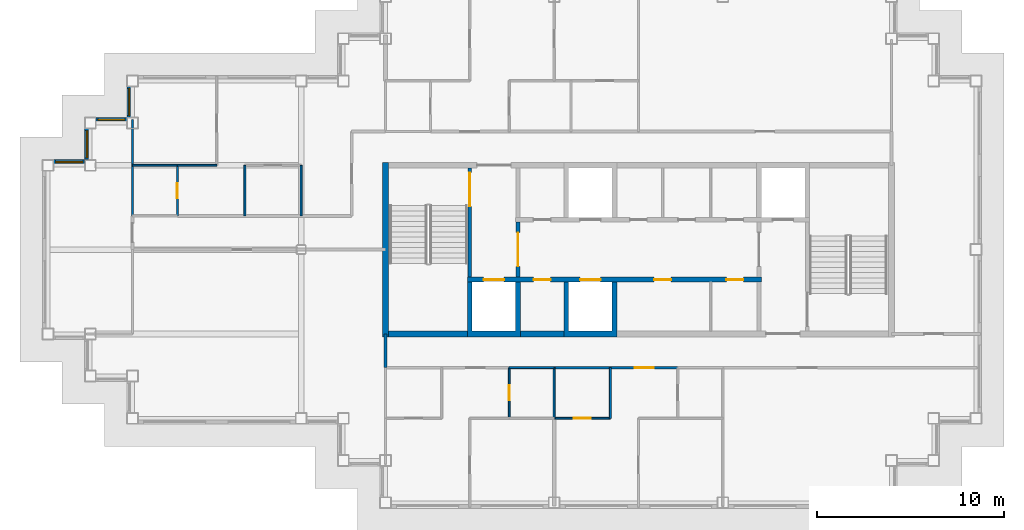
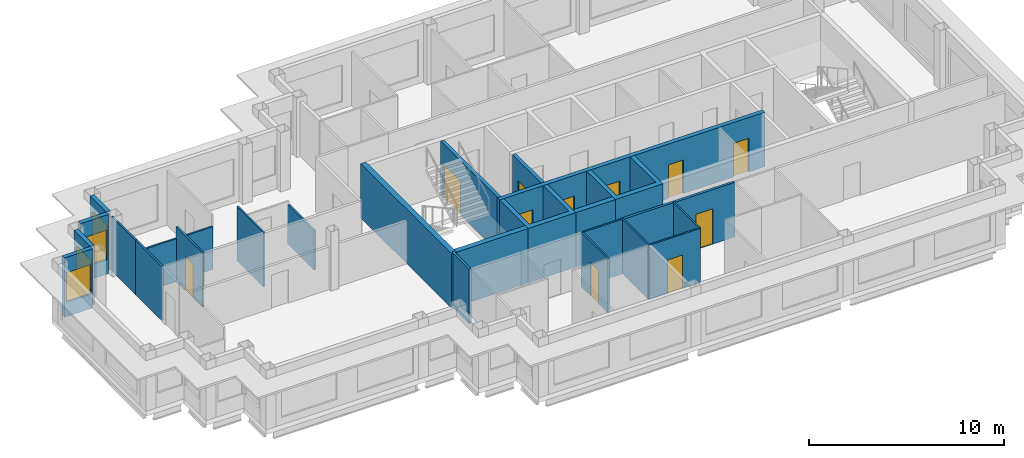
# One storey, part 3 of 11: 26 walls, 11 doors, 4 windows, 15 openings.
"""IFC4 building model written with IfcOpenShell, lengths in metres."""

from ifc_helpers import new_model, si_unit, direction, frame, frame_2d, origin, place, context, subcontext, project, spatial, polyline, rectangle, outline, extrude, material, layer, layer_set, type_object, element, fill, save


model = new_model("IFC4")

# Units and contexts
model_context = context("Model", 3, precision=1e-05, world=origin(), true_north=direction((0.0, 1.0)))
body_context = subcontext(model_context, "Body", "Model", "MODEL_VIEW")
ifc_project = project(units=[si_unit("LENGTHUNIT", "METRE"), si_unit("AREAUNIT", "SQUARE_METRE"), si_unit("VOLUMEUNIT", "CUBIC_METRE"), si_unit("PLANEANGLEUNIT", "RADIAN"), si_unit("MASSUNIT", "GRAM", prefix="KILO")], contexts=[model_context])

# Site, building, storey
site_placement = place(None, origin())
site = spatial("IfcSite", under=ifc_project, at=site_placement, CompositionType="ELEMENT")
building_placement = place(site_placement, origin())
building = spatial("IfcBuilding", under=site, at=building_placement, Name="Caravel Reach Hotel and Residences", CompositionType="ELEMENT")
storey_placement = place(building_placement, frame((0.0, 0.0, 256.39990234375)))
storey = spatial("IfcBuildingStorey", under=building, at=storey_placement, Name="L65", CompositionType="ELEMENT", Elevation=256.39990234375)

# Walls
ifc_material_1 = material(Name="Gypsum board on steel stud", Category="steel")
ifc_layer_1 = layer(ifc_material_1, 0.10009765625)
ifc_layer_set_1 = layer_set([ifc_layer_1], Name="Bathroom pod wall 100 mm")
wall_type_1 = type_object("IfcWallType", Name="Bathroom pod wall 100 mm", PredefinedType="PARTITIONING", material=ifc_layer_set_1)
wall_1_placement = place(storey_placement, frame((24.60009765625, 20.699951171875, 0.0), z_axis=(0.0, 0.0, 1.0), x_axis=(1.0, 0.0, 0.0)))
element("IfcWall", 1, at=wall_1_placement, inside=storey, type_object=wall_type_1, Name="L65 wall w055", PredefinedType="PARTITIONING", context=body_context, shape_type="SweptSolid", body=[
    extrude(rectangle(XDim=2.39990234375, YDim=0.10009765625, at=frame_2d((1.199951171875, 0.0))), origin(), (0.0, 0.0, 1.0), 3.400146484375),
])
wall_2_placement = place(storey_placement, frame((4.5, 31.5, 0.0), z_axis=(0.0, 0.0, 1.0), x_axis=(1.0, 0.0, 0.0)))
element("IfcWall", 2, at=wall_2_placement, inside=storey, type_object=wall_type_1, Name="L65 wall w058", PredefinedType="PARTITIONING", context=body_context, shape_type="SweptSolid", body=[
    extrude(rectangle(XDim=2.39990234375, YDim=0.10009765625, at=frame_2d((1.199951171875, 0.0))), origin(), (0.0, 0.0, 1.0), 2.68017578125),
])

# Wall, opening, door
wall_3_placement = place(storey_placement, frame((24.60009765625, 18.0, 0.0), z_axis=(0.0, 0.0, 1.0), x_axis=(0.0, 1.0, 0.0)))
wall_3 = element("IfcWall", 3, at=wall_3_placement, inside=storey, type_object=wall_type_1, Name="L65 wall w063", PredefinedType="PARTITIONING", context=body_context, shape_type="SweptSolid", body=[
    extrude(rectangle(XDim=2.699951171875, YDim=0.10009765625, at=frame_2d((1.35009765625, 0.0))), origin(), (0.0, 0.0, 1.0), 3.400146484375),
])
opening_1_placement = place(wall_3_placement, frame((0.949951171875, 0.0, 0.0)))
opening_1 = element("IfcOpeningElement", 4, at=opening_1_placement, cuts=wall_3, Name="Opening D65-032", PredefinedType="OPENING", context=body_context, shape_type="SweptSolid", body=[
    extrude(rectangle(XDim=0.800048828125, YDim=2.10009765625, at=frame_2d((0.39990234375, 1.050048828125))), frame((0.0, 0.06005859375, 0.0), z_axis=(0.0, -1.0, 0.0), x_axis=(1.0, 0.0, 0.0)), (0.0, 0.0, 1.0), 0.1201171875),
])
ifc_material_2 = material(Name="Timber and steel door leaf", Category="steel")
door_type_1 = type_object("IfcDoorType", Name="Bathroom door 800 x 2100", OperationType="SINGLE_SWING_LEFT", PredefinedType="DOOR", material=ifc_material_2)
door_1_placement = place(opening_1_placement, origin())
door_1 = element("IfcDoor", 5, at=door_1_placement, inside=storey, type_object=door_type_1, Name="door D65-032", OperationType="SINGLE_SWING_RIGHT", OverallHeight=2.10009765625, OverallWidth=0.800048828125, PredefinedType="DOOR", context=body_context, shape_type="SweptSolid", body=[
    extrude(rectangle(XDim=0.800048828125, YDim=2.10009765625, at=frame_2d((0.39990234375, 1.050048828125))), frame((0.0, 0.02490234375, 0.0), z_axis=(0.0, -1.0, 0.0), x_axis=(1.0, 0.0, 0.0)), (0.0, 0.0, 1.0), 0.050048828125),
])
fill(opening_1, door_1)

# Walls
for number, where, z_axis, x_axis, name in (
    (6, (27.0, 18.0, 0.0), (0.0, 0.0, 1.0), (0.0, 1.0, 0.0), "L65 wall w064"),
    (7, (4.5, 28.800048828125, 0.0), (0.0, 0.0, 1.0), (0.0, 1.0, 0.0), "L65 wall w067"),
):
    element("IfcWall", number, at=place(storey_placement, frame(where, z_axis=z_axis, x_axis=x_axis)), inside=storey, type_object=wall_type_1, Name=name, PredefinedType="PARTITIONING", context=body_context, shape_type="SweptSolid", body=[
        extrude(rectangle(XDim=2.699951171875, YDim=0.10009765625, at=frame_2d((1.35009765625, 0.0))), origin(), (0.0, 0.0, 1.0), 3.400146484375),
    ])

# Wall, opening, door
wall_4_placement = place(storey_placement, frame((6.89990234375, 28.800048828125, 0.0), z_axis=(0.0, 0.0, 1.0), x_axis=(0.0, 1.0, 0.0)))
wall_4 = element("IfcWall", 8, at=wall_4_placement, inside=storey, type_object=wall_type_1, Name="L65 wall w068", PredefinedType="PARTITIONING", context=body_context, shape_type="SweptSolid", body=[
    extrude(rectangle(XDim=2.699951171875, YDim=0.10009765625, at=frame_2d((1.35009765625, 0.0))), origin(), (0.0, 0.0, 1.0), 3.400146484375),
])
opening_2_placement = place(wall_4_placement, frame((0.949951171875, 0.0, 0.0)))
opening_2 = element("IfcOpeningElement", 9, at=opening_2_placement, cuts=wall_4, Name="Opening D65-026", PredefinedType="OPENING", context=body_context, shape_type="SweptSolid", body=[
    extrude(rectangle(XDim=0.800048828125, YDim=2.10009765625, at=frame_2d((0.39990234375, 1.050048828125))), frame((0.0, 0.06005859375, 0.0), z_axis=(0.0, -1.0, 0.0), x_axis=(1.0, 0.0, 0.0)), (0.0, 0.0, 1.0), 0.1201171875),
])
door_2_placement = place(opening_2_placement, origin())
door_2 = element("IfcDoor", 10, at=door_2_placement, inside=storey, type_object=door_type_1, Name="door D65-026", OperationType="SINGLE_SWING_RIGHT", OverallHeight=2.10009765625, OverallWidth=0.800048828125, PredefinedType="DOOR", context=body_context, shape_type="SweptSolid", body=[
    extrude(rectangle(XDim=0.800048828125, YDim=2.10009765625, at=frame_2d((0.39990234375, 1.050048828125))), frame((0.0, 0.02490234375, 0.0), z_axis=(0.0, -1.0, 0.0), x_axis=(1.0, 0.0, 0.0)), (0.0, 0.0, 1.0), 0.050048828125),
])
fill(opening_2, door_2)

# Walls
ifc_material_3 = material(Name="Concrete C60", Category="concrete")
ifc_layer_2 = layer(ifc_material_3, 0.300048828125)
ifc_layer_set_2 = layer_set([ifc_layer_2], Name="Core wall 300 mm EI 120")
wall_type_2 = type_object("IfcWallType", Name="Core wall 300 mm EI 120", PredefinedType="SHEAR", material=ifc_layer_set_2)
wall_5_placement = place(storey_placement, frame((18.14990234375, 22.5, 0.0), z_axis=(0.0, 0.0, 1.0), x_axis=(1.0, 0.0, 0.0)))
element("IfcWall", 11, at=wall_5_placement, inside=storey, type_object=wall_type_2, Name="L65 core wall S1", PredefinedType="SHEAR", context=body_context, shape_type="SweptSolid", body=[
    extrude(rectangle(XDim=4.22509765625, YDim=0.300048828125, at=frame_2d((2.112548828125, 0.0))), origin(), (0.0, 0.0, 1.0), 3.400146484375),
])
wall_6_placement = place(storey_placement, frame((25.196533203125, 22.5, 0.0), z_axis=(0.0, 0.0, 1.0), x_axis=(1.0, 0.0, 0.0)))
element("IfcWall", 12, at=wall_6_placement, inside=storey, type_object=wall_type_2, Name="L65 core wall S2", PredefinedType="SHEAR", context=body_context, shape_type="SweptSolid", body=[
    extrude(rectangle(XDim=2.3212890625, YDim=0.300048828125, at=frame_2d((1.16064453125, 0.0))), origin(), (0.0, 0.0, 1.0), 3.400146484375),
])
wall_7_placement = place(storey_placement, frame((18.0, 22.35009765625, 0.0), z_axis=(0.0, 0.0, 1.0), x_axis=(0.0, 1.0, 0.0)))
element("IfcWall", 13, at=wall_7_placement, inside=storey, type_object=wall_type_2, Name="L65 core wall W", PredefinedType="SHEAR", context=body_context, shape_type="SweptSolid", body=[
    extrude(rectangle(XDim=9.2998046875, YDim=0.300048828125, at=frame_2d((4.64990234375, 0.0))), origin(), (0.0, 0.0, 1.0), 3.400146484375),
])

# Wall, opening, door
ifc_material_4 = material(Name="Gypsum board on steel stud, fire-rated", Category="steel")
ifc_layer_3 = layer(ifc_material_4, 0.14990234375)
ifc_layer_set_3 = layer_set([ifc_layer_3], Name="Corridor wall 150 mm EI 60")
wall_type_3 = type_object("IfcWallType", Name="Corridor wall 150 mm EI 60", PredefinedType="PARTITIONING", material=ifc_layer_set_3)
wall_8_placement = place(storey_placement, frame((27.0, 20.699951171875, 0.0), z_axis=(0.0, 0.0, 1.0), x_axis=(1.0, 0.0, 0.0)))
wall_8 = element("IfcWall", 14, at=wall_8_placement, inside=storey, type_object=wall_type_3, Name="L65 wall w004", PredefinedType="PARTITIONING", context=body_context, shape_type="SweptSolid", body=[
    extrude(rectangle(XDim=6.60009765625, YDim=0.14990234375, at=frame_2d((3.300048828125, 0.0))), origin(), (0.0, 0.0, 1.0), 3.400146484375),
])
opening_3_placement = place(wall_8_placement, frame((4.300048828125, 0.0, 0.0)))
opening_3 = element("IfcOpeningElement", 15, at=opening_3_placement, cuts=wall_8, Name="Opening D65-034", PredefinedType="OPENING", context=body_context, shape_type="SweptSolid", body=[
    extrude(rectangle(XDim=1.0, YDim=2.199951171875, at=frame_2d((0.5, 1.10009765625))), frame((0.0, 0.0849609375, 0.0), z_axis=(0.0, -1.0, 0.0), x_axis=(1.0, 0.0, 0.0)), (0.0, 0.0, 1.0), 0.169921875),
])
ifc_material_5 = material(Name="Steel fire door leaf", Category="steel")
door_type_2 = type_object("IfcDoorType", Name="Flat entrance door 1000 x 2200 EI 60", OperationType="SINGLE_SWING_LEFT", PredefinedType="DOOR", material=ifc_material_5)
door_3_placement = place(opening_3_placement, origin())
door_3 = element("IfcDoor", 16, at=door_3_placement, inside=storey, type_object=door_type_2, Name="door D65-034", OperationType="SINGLE_SWING_LEFT", OverallHeight=2.199951171875, OverallWidth=1.0, PredefinedType="DOOR", context=body_context, shape_type="SweptSolid", body=[
    extrude(rectangle(XDim=1.0, YDim=2.199951171875, at=frame_2d((0.5, 1.10009765625))), frame((0.0, 0.02490234375, 0.0), z_axis=(0.0, -1.0, 0.0), x_axis=(1.0, 0.0, 0.0)), (0.0, 0.0, 1.0), 0.050048828125),
])
fill(opening_3, door_3)

# Wall
wall_9_placement = place(storey_placement, frame((18.0, 20.699951171875, 0.0), z_axis=(0.0, 0.0, 1.0), x_axis=(0.0, 1.0, 0.0)))
element("IfcWall", 17, at=wall_9_placement, inside=storey, type_object=wall_type_3, Name="L65 wall w018", PredefinedType="PARTITIONING", context=body_context, shape_type="SweptSolid", body=[
    extrude(rectangle(XDim=1.800048828125, YDim=0.14990234375, at=frame_2d((0.89990234375, 0.0))), origin(), (0.0, 0.0, 1.0), 3.400146484375),
])

# Wall, opening, window
ifc_material_6 = material(Name="Insulated rainscreen wall, aluminium cladding", Category="aluminium")
ifc_layer_4 = layer(ifc_material_6, 0.25)
ifc_layer_set_4 = layer_set([ifc_layer_4], Name="EW1 Tower rainscreen wall")
wall_type_4 = type_object("IfcWallType", Name="EW1 Tower rainscreen wall", PredefinedType="SOLIDWALL", material=ifc_layer_set_4)
wall_10_placement = place(storey_placement, frame((4.324951171875, 35.699951171875, 0.0), z_axis=(0.0, 0.0, 1.0), x_axis=(0.0, -1.0, 0.0)))
wall_10 = element("IfcWall", 18, at=wall_10_placement, inside=storey, type_object=wall_type_4, Name="External wall L65 W19.1", PredefinedType="SOLIDWALL", context=body_context, shape_type="SweptSolid", body=[
    extrude(rectangle(XDim=1.64990234375, YDim=0.25, at=frame_2d((0.824951171875, 0.0))), origin(), (0.0, 0.0, 1.0), 3.7001953125),
])
opening_4_placement = place(wall_10_placement, frame((0.10009765625, 0.0, 0.89990234375)))
opening_4 = element("IfcOpeningElement", 19, at=opening_4_placement, cuts=wall_10, Name="Opening WN25", PredefinedType="OPENING", context=body_context, shape_type="SweptSolid", body=[
    extrude(rectangle(XDim=1.449951171875, YDim=1.85009765625, at=frame_2d((0.72509765625, 0.925048828125))), frame((0.0, 0.135009765625, 0.0), z_axis=(0.0, -1.0, 0.0), x_axis=(1.0, 0.0, 0.0)), (0.0, 0.0, 1.0), 0.27001953125),
])
ifc_material_7 = material(Name="Dark low-e glazing in black aluminium frame", Category="aluminium")
window_type = type_object("IfcWindowType", Name="Residence bedroom window 1450 x 1850", PartitioningType="SINGLE_PANEL", PredefinedType="WINDOW", material=ifc_material_7)
window_1_placement = place(opening_4_placement, origin())
window_1 = element("IfcWindow", 20, at=window_1_placement, inside=storey, type_object=window_type, Name="Window L65 W19.1.1", OverallHeight=1.85009765625, OverallWidth=1.449951171875, PartitioningType="SINGLE_PANEL", PredefinedType="WINDOW", context=body_context, shape_type="SweptSolid", body=[
    extrude(rectangle(XDim=1.449951171875, YDim=1.85009765625, at=frame_2d((0.72509765625, 0.925048828125))), frame((0.0, 0.030029296875, 0.0), z_axis=(0.0, -1.0, 0.0), x_axis=(1.0, 0.0, 0.0)), (0.0, 0.0, 1.0), 0.06005859375),
])
fill(opening_4, window_1)

wall_11_placement = place(storey_placement, frame((4.199951171875, 33.925048828125, 0.0), z_axis=(0.0, 0.0, 1.0), x_axis=(-1.0, 0.0, 0.0)))
wall_11 = element("IfcWall", 21, at=wall_11_placement, inside=storey, type_object=wall_type_4, Name="External wall L65 N20.1", PredefinedType="SOLIDWALL", context=body_context, shape_type="SweptSolid", body=[
    extrude(rectangle(XDim=1.64990234375, YDim=0.25, at=frame_2d((0.824951171875, 0.0))), origin(), (0.0, 0.0, 1.0), 3.7001953125),
])
opening_5_placement = place(wall_11_placement, frame((0.10009765625, 0.0, 0.89990234375)))
opening_5 = element("IfcOpeningElement", 22, at=opening_5_placement, cuts=wall_11, Name="Opening WN25", PredefinedType="OPENING", context=body_context, shape_type="SweptSolid", body=[
    extrude(rectangle(XDim=1.449951171875, YDim=1.85009765625, at=frame_2d((0.72509765625, 0.925048828125))), frame((0.0, 0.135009765625, 0.0), z_axis=(0.0, -1.0, 0.0), x_axis=(1.0, 0.0, 0.0)), (0.0, 0.0, 1.0), 0.27001953125),
])
window_2_placement = place(opening_5_placement, origin())
window_2 = element("IfcWindow", 23, at=window_2_placement, inside=storey, type_object=window_type, Name="Window L65 N20.1.1", OverallHeight=1.85009765625, OverallWidth=1.449951171875, PartitioningType="SINGLE_PANEL", PredefinedType="WINDOW", context=body_context, shape_type="SweptSolid", body=[
    extrude(rectangle(XDim=1.449951171875, YDim=1.85009765625, at=frame_2d((0.72509765625, 0.925048828125))), frame((0.0, 0.030029296875, 0.0), z_axis=(0.0, -1.0, 0.0), x_axis=(1.0, 0.0, 0.0)), (0.0, 0.0, 1.0), 0.06005859375),
])
fill(opening_5, window_2)

wall_12_placement = place(storey_placement, frame((2.074951171875, 33.449951171875, 0.0), z_axis=(0.0, 0.0, 1.0), x_axis=(0.0, -1.0, 0.0)))
wall_12 = element("IfcWall", 24, at=wall_12_placement, inside=storey, type_object=wall_type_4, Name="External wall L65 W21.1", PredefinedType="SOLIDWALL", context=body_context, shape_type="SweptSolid", body=[
    extrude(rectangle(XDim=1.64990234375, YDim=0.25, at=frame_2d((0.824951171875, 0.0))), origin(), (0.0, 0.0, 1.0), 3.7001953125),
])
opening_6_placement = place(wall_12_placement, frame((0.10009765625, 0.0, 0.89990234375)))
opening_6 = element("IfcOpeningElement", 25, at=opening_6_placement, cuts=wall_12, Name="Opening WN25", PredefinedType="OPENING", context=body_context, shape_type="SweptSolid", body=[
    extrude(rectangle(XDim=1.449951171875, YDim=1.85009765625, at=frame_2d((0.72509765625, 0.925048828125))), frame((0.0, 0.135009765625, 0.0), z_axis=(0.0, -1.0, 0.0), x_axis=(1.0, 0.0, 0.0)), (0.0, 0.0, 1.0), 0.27001953125),
])
window_3_placement = place(opening_6_placement, origin())
window_3 = element("IfcWindow", 26, at=window_3_placement, inside=storey, type_object=window_type, Name="Window L65 W21.1.1", OverallHeight=1.85009765625, OverallWidth=1.449951171875, PartitioningType="SINGLE_PANEL", PredefinedType="WINDOW", context=body_context, shape_type="SweptSolid", body=[
    extrude(rectangle(XDim=1.449951171875, YDim=1.85009765625, at=frame_2d((0.72509765625, 0.925048828125))), frame((0.0, 0.030029296875, 0.0), z_axis=(0.0, -1.0, 0.0), x_axis=(1.0, 0.0, 0.0)), (0.0, 0.0, 1.0), 0.06005859375),
])
fill(opening_6, window_3)

wall_13_placement = place(storey_placement, frame((1.949951171875, 31.675048828125, 0.0), z_axis=(0.0, 0.0, 1.0), x_axis=(-1.0, 0.0, 0.0)))
wall_13 = element("IfcWall", 27, at=wall_13_placement, inside=storey, type_object=wall_type_4, Name="External wall L65 N22.1", PredefinedType="SOLIDWALL", context=body_context, shape_type="SweptSolid", body=[
    extrude(rectangle(XDim=1.64990234375, YDim=0.25, at=frame_2d((0.824951171875, 0.0))), origin(), (0.0, 0.0, 1.0), 3.7001953125),
])
opening_7_placement = place(wall_13_placement, frame((0.10009765625, 0.0, 0.89990234375)))
opening_7 = element("IfcOpeningElement", 28, at=opening_7_placement, cuts=wall_13, Name="Opening WN25", PredefinedType="OPENING", context=body_context, shape_type="SweptSolid", body=[
    extrude(rectangle(XDim=1.449951171875, YDim=1.85009765625, at=frame_2d((0.72509765625, 0.925048828125))), frame((0.0, 0.135009765625, 0.0), z_axis=(0.0, -1.0, 0.0), x_axis=(1.0, 0.0, 0.0)), (0.0, 0.0, 1.0), 0.27001953125),
])
window_4_placement = place(opening_7_placement, origin())
window_4 = element("IfcWindow", 29, at=window_4_placement, inside=storey, type_object=window_type, Name="Window L65 N22.1.1", OverallHeight=1.85009765625, OverallWidth=1.449951171875, PartitioningType="SINGLE_PANEL", PredefinedType="WINDOW", context=body_context, shape_type="SweptSolid", body=[
    extrude(rectangle(XDim=1.449951171875, YDim=1.85009765625, at=frame_2d((0.72509765625, 0.925048828125))), frame((0.0, 0.030029296875, 0.0), z_axis=(0.0, -1.0, 0.0), x_axis=(1.0, 0.0, 0.0)), (0.0, 0.0, 1.0), 0.06005859375),
])
fill(opening_7, window_4)

# Wall, opening, door
ifc_material_8 = material(Name="Autoclaved aerated block wall")
ifc_layer_5 = layer(ifc_material_8, 0.199951171875)
ifc_layer_set_5 = layer_set([ifc_layer_5], Name="Fire lobby wall 200 mm EI 120")
wall_type_5 = type_object("IfcWallType", Name="Fire lobby wall 200 mm EI 120", PredefinedType="PARTITIONING", material=ifc_layer_set_5)
wall_14_placement = place(storey_placement, frame((25.071533203125, 25.52490234375, 0.0), z_axis=(0.0, 0.0, 1.0), x_axis=(0.0, 1.0, 0.0)))
wall_14 = element("IfcWall", 30, at=wall_14_placement, inside=storey, type_object=wall_type_5, Name="L65 lobby W wall", PredefinedType="PARTITIONING", context=body_context, shape_type="SweptSolid", body=[
    extrude(rectangle(XDim=2.9501953125, YDim=0.199951171875, at=frame_2d((1.47509765625, 0.0))), origin(), (0.0, 0.0, 1.0), 3.400146484375),
])
opening_8_placement = place(wall_14_placement, frame((0.574951171875, 0.0, 0.0)))
opening_8 = element("IfcOpeningElement", 31, at=opening_8_placement, cuts=wall_14, Name="Opening D65-014", PredefinedType="OPENING", context=body_context, shape_type="SweptSolid", body=[
    extrude(rectangle(XDim=1.800048828125, YDim=2.10009765625, at=frame_2d((0.89990234375, 1.050048828125))), frame((0.0, 0.10986328125, 0.0), z_axis=(0.0, -1.0, 0.0), x_axis=(1.0, 0.0, 0.0)), (0.0, 0.0, 1.0), 0.219970703125),
])
ifc_material_9 = material(Name="Steel fire door leaf", Category="steel")
door_type_3 = type_object("IfcDoorType", Name="Fire lobby door pair 1800 x 2100 EI 90", OperationType="DOUBLE_DOOR_SINGLE_SWING", PredefinedType="DOOR", material=ifc_material_9)
door_4_placement = place(opening_8_placement, origin())
door_4 = element("IfcDoor", 32, at=door_4_placement, inside=storey, type_object=door_type_3, Name="lobby W door pair", OperationType="DOUBLE_DOOR_SINGLE_SWING", OverallHeight=2.10009765625, OverallWidth=1.800048828125, PredefinedType="DOOR", context=body_context, shape_type="SweptSolid", body=[
    extrude(rectangle(XDim=1.800048828125, YDim=2.10009765625, at=frame_2d((0.89990234375, 1.050048828125))), frame((0.0, 0.02490234375, 0.0), z_axis=(0.0, -1.0, 0.0), x_axis=(1.0, 0.0, 0.0)), (0.0, 0.0, 1.0), 0.050048828125),
])
fill(opening_8, door_4)

ifc_material_10 = material(Name="Gypsum board on steel stud", Category="steel")
ifc_layer_6 = layer(ifc_material_10, 0.10009765625)
ifc_layer_set_6 = layer_set([ifc_layer_6], Name="Partition 100 mm")
wall_type_6 = type_object("IfcWallType", Name="Partition 100 mm", PredefinedType="PARTITIONING", material=ifc_layer_set_6)
wall_15_placement = place(storey_placement, frame((27.0, 18.0, 0.0), z_axis=(0.0, 0.0, 1.0), x_axis=(1.0, 0.0, 0.0)))
wall_15 = element("IfcWall", 33, at=wall_15_placement, inside=storey, type_object=wall_type_6, Name="L65 wall w024", PredefinedType="PARTITIONING", context=body_context, shape_type="SweptSolid", body=[
    extrude(rectangle(XDim=3.0, YDim=0.10009765625, at=frame_2d((1.5, 0.0))), origin(), (0.0, 0.0, 1.0), 3.400146484375),
])
opening_9_placement = place(wall_15_placement, frame((1.050048828125, 0.0, 0.0)))
opening_9 = element("IfcOpeningElement", 34, at=opening_9_placement, cuts=wall_15, Name="Opening D65-035", PredefinedType="OPENING", context=body_context, shape_type="SweptSolid", body=[
    extrude(rectangle(XDim=0.89990234375, YDim=2.10009765625, at=frame_2d((0.449951171875, 1.050048828125))), frame((0.0, 0.06005859375, 0.0), z_axis=(0.0, -1.0, 0.0), x_axis=(1.0, 0.0, 0.0)), (0.0, 0.0, 1.0), 0.1201171875),
])
ifc_material_11 = material(Name="Timber and steel door leaf", Category="steel")
door_type_4 = type_object("IfcDoorType", Name="Door 900 x 2100 timber", OperationType="SINGLE_SWING_LEFT", PredefinedType="DOOR", material=ifc_material_11)
door_5_placement = place(opening_9_placement, origin())
door_5 = element("IfcDoor", 35, at=door_5_placement, inside=storey, type_object=door_type_4, Name="door D65-035", OperationType="SINGLE_SWING_LEFT", OverallHeight=2.10009765625, OverallWidth=0.89990234375, PredefinedType="DOOR", context=body_context, shape_type="SweptSolid", body=[
    extrude(rectangle(XDim=0.89990234375, YDim=2.10009765625, at=frame_2d((0.449951171875, 1.050048828125))), frame((0.0, 0.02490234375, 0.0), z_axis=(0.0, -1.0, 0.0), x_axis=(1.0, 0.0, 0.0)), (0.0, 0.0, 1.0), 0.050048828125),
])
fill(opening_9, door_5)

# Walls
wall_16_placement = place(storey_placement, frame((6.89990234375, 31.5, 0.0), z_axis=(0.0, 0.0, 1.0), x_axis=(1.0, 0.0, 0.0)))
element("IfcWall", 36, at=wall_16_placement, inside=storey, type_object=wall_type_6, Name="L65 wall w026", PredefinedType="PARTITIONING", context=body_context, shape_type="SweptSolid", body=[
    extrude(rectangle(XDim=2.10009765625, YDim=0.10009765625, at=frame_2d((1.050048828125, 0.0))), origin(), (0.0, 0.0, 1.0), 2.68017578125),
])
wall_17_placement = place(storey_placement, frame((10.5, 28.800048828125, 0.0), z_axis=(0.0, 0.0, 1.0), x_axis=(0.0, 1.0, 0.0)))
element("IfcWall", 37, at=wall_17_placement, inside=storey, type_object=wall_type_6, Name="L65 wall w032", PredefinedType="PARTITIONING", context=body_context, shape_type="SweptSolid", body=[
    extrude(rectangle(XDim=2.699951171875, YDim=0.10009765625, at=frame_2d((1.35009765625, 0.0))), origin(), (0.0, 0.0, 1.0), 3.400146484375),
])
wall_18_placement = place(storey_placement, frame((13.5, 28.801025390625, 0.0), z_axis=(0.0, 0.0, 1.0), x_axis=(0.0, 1.0, 0.0)))
element("IfcWall", 38, at=wall_18_placement, inside=storey, type_object=wall_type_6, Name="L65 wall w033", PredefinedType="PARTITIONING", context=body_context, shape_type="SweptSolid", body=[
    extrude(rectangle(XDim=2.698974609375, YDim=0.10009765625, at=frame_2d((1.349609375, 0.0))), origin(), (0.0, 0.0, 1.0), 2.47998046875),
])
wall_19_placement = place(storey_placement, frame((30.0, 18.0, 0.0), z_axis=(0.0, 0.0, 1.0), x_axis=(0.0, 1.0, 0.0)))
element("IfcWall", 39, at=wall_19_placement, inside=storey, type_object=wall_type_6, Name="L65 wall w042", PredefinedType="PARTITIONING", context=body_context, shape_type="SweptSolid", body=[
    extrude(rectangle(XDim=2.699951171875, YDim=0.10009765625, at=frame_2d((1.35009765625, 0.0))), origin(), (0.0, 0.0, 1.0), 3.400146484375),
])
wall_20_placement = place(storey_placement, frame((4.5, 31.5009765625, 0.0), z_axis=(0.0, 0.0, 1.0), x_axis=(0.0, 1.0, 0.0)))
element("IfcWall", 40, at=wall_20_placement, inside=storey, type_object=wall_type_6, Name="L65 wall w047", PredefinedType="PARTITIONING", context=body_context, shape_type="SweptSolid", body=[
    extrude(rectangle(XDim=2.43896484375, YDim=0.10009765625, at=frame_2d((1.219482421875, 0.0))), origin(), (0.0, 0.0, 1.0), 3.400146484375),
])
ifc_material_12 = material(Name="Concrete C60", Category="concrete")
ifc_layer_7 = layer(ifc_material_12, 0.25)
ifc_layer_set_7 = layer_set([ifc_layer_7], Name="Shaft wall 250 mm EI 120")
wall_type_7 = type_object("IfcWallType", Name="Shaft wall 250 mm EI 120", PredefinedType="SHEAR", material=ifc_layer_set_7)
wall_21_placement = place(storey_placement, origin())
element("IfcWall", 41, at=wall_21_placement, inside=storey, type_object=wall_type_7, Name="L65 lift shaft wall S1", PredefinedType="SHEAR", context=body_context, shape_type="SweptSolid", body=[
    extrude(outline(polyline([(22.375, 22.35009765625), (25.196533203125, 22.35009765625), (25.196533203125, 25.27490234375), (24.946533203125, 25.27490234375), (24.946533203125, 22.64990234375), (22.625, 22.64990234375), (22.625, 25.27490234375), (22.375, 25.27490234375), (22.375, 22.35009765625)])), origin(), (0.0, 0.0, 1.0), 3.400146484375),
])
wall_22_placement = place(storey_placement, origin())
element("IfcWall", 42, at=wall_22_placement, inside=storey, type_object=wall_type_7, Name="L65 lift shaft wall S2", PredefinedType="SHEAR", context=body_context, shape_type="SweptSolid", body=[
    extrude(outline(polyline([(27.517822265625, 22.35009765625), (30.33935546875, 22.35009765625), (30.33935546875, 25.27490234375), (30.08935546875, 25.27490234375), (30.08935546875, 22.64990234375), (27.767822265625, 22.64990234375), (27.767822265625, 25.27490234375), (27.517822265625, 25.27490234375), (27.517822265625, 22.35009765625)])), origin(), (0.0, 0.0, 1.0), 3.400146484375),
])

# Wall, openings, doors
wall_23_placement = place(storey_placement, frame((22.375, 25.39990234375, 0.0), z_axis=(0.0, 0.0, 1.0), x_axis=(1.0, 0.0, 0.0)))
wall_23 = element("IfcWall", 43, at=wall_23_placement, inside=storey, type_object=wall_type_7, Name="L65 lobby wall S1", PredefinedType="SHEAR", context=body_context, shape_type="SweptSolid", body=[
    extrude(rectangle(XDim=15.678466796875, YDim=0.25, at=frame_2d((7.83935546875, 0.0))), origin(), (0.0, 0.0, 1.0), 3.400146484375),
])
opening_10_placement = place(wall_23_placement, frame((6.003662109375, 0.0, 0.0)))
opening_10 = element("IfcOpeningElement", 44, at=opening_10_placement, cuts=wall_23, Name="Opening D65-001", PredefinedType="OPENING", context=body_context, shape_type="SweptSolid", body=[
    extrude(rectangle(XDim=1.10009765625, YDim=2.10009765625, at=frame_2d((0.550048828125, 1.050048828125))), frame((0.0, 0.135009765625, 0.0), z_axis=(0.0, -1.0, 0.0), x_axis=(1.0, 0.0, 0.0)), (0.0, 0.0, 1.0), 0.27001953125),
])
opening_11_placement = place(wall_23_placement, frame((0.860595703125, 0.0, 0.0)))
opening_11 = element("IfcOpeningElement", 45, at=opening_11_placement, cuts=wall_23, Name="Opening D65-003", PredefinedType="OPENING", context=body_context, shape_type="SweptSolid", body=[
    extrude(rectangle(XDim=1.10009765625, YDim=2.10009765625, at=frame_2d((0.550048828125, 1.050048828125))), frame((0.0, 0.135009765625, 0.0), z_axis=(0.0, -1.0, 0.0), x_axis=(1.0, 0.0, 0.0)), (0.0, 0.0, 1.0), 0.27001953125),
])
opening_12_placement = place(wall_23_placement, frame((3.531982421875, 0.0, 0.0)))
opening_12 = element("IfcOpeningElement", 46, at=opening_12_placement, cuts=wall_23, Name="Opening D65-005", PredefinedType="OPENING", context=body_context, shape_type="SweptSolid", body=[
    extrude(rectangle(XDim=0.89990234375, YDim=2.10009765625, at=frame_2d((0.449951171875, 1.050048828125))), frame((0.0, 0.135009765625, 0.0), z_axis=(0.0, -1.0, 0.0), x_axis=(1.0, 0.0, 0.0)), (0.0, 0.0, 1.0), 0.27001953125),
])
opening_13_placement = place(wall_23_placement, frame((9.960693359375, 0.0, 0.0)))
opening_13 = element("IfcOpeningElement", 47, at=opening_13_placement, cuts=wall_23, Name="Opening D65-006", PredefinedType="OPENING", context=body_context, shape_type="SweptSolid", body=[
    extrude(rectangle(XDim=0.89990234375, YDim=2.10009765625, at=frame_2d((0.449951171875, 1.050048828125))), frame((0.0, 0.135009765625, 0.0), z_axis=(0.0, -1.0, 0.0), x_axis=(1.0, 0.0, 0.0)), (0.0, 0.0, 1.0), 0.27001953125),
])
opening_14_placement = place(wall_23_placement, frame((13.81787109375, 0.0, 0.0)))
opening_14 = element("IfcOpeningElement", 48, at=opening_14_placement, cuts=wall_23, Name="Opening D65-007", PredefinedType="OPENING", context=body_context, shape_type="SweptSolid", body=[
    extrude(rectangle(XDim=0.89990234375, YDim=2.10009765625, at=frame_2d((0.449951171875, 1.050048828125))), frame((0.0, 0.135009765625, 0.0), z_axis=(0.0, -1.0, 0.0), x_axis=(1.0, 0.0, 0.0)), (0.0, 0.0, 1.0), 0.27001953125),
])
ifc_material_13 = material(Name="Stainless steel landing door", Category="steel")
door_type_5 = type_object("IfcDoorType", Name="Landing door LD 1100 x 2100 sliding", OperationType="DOUBLE_DOOR_SLIDING", PredefinedType="DOOR", material=ifc_material_13)
door_6_placement = place(opening_10_placement, origin())
door_6 = element("IfcDoor", 49, at=door_6_placement, inside=storey, type_object=door_type_5, Name="HP1 landing door", OperationType="DOUBLE_DOOR_SLIDING", OverallHeight=2.10009765625, OverallWidth=1.10009765625, PredefinedType="DOOR", context=body_context, shape_type="SweptSolid", body=[
    extrude(rectangle(XDim=1.10009765625, YDim=2.10009765625, at=frame_2d((0.550048828125, 1.050048828125))), frame((0.0, 0.02490234375, 0.0), z_axis=(0.0, -1.0, 0.0), x_axis=(1.0, 0.0, 0.0)), (0.0, 0.0, 1.0), 0.050048828125),
])
fill(opening_10, door_6)
door_7_placement = place(opening_11_placement, origin())
door_7 = element("IfcDoor", 50, at=door_7_placement, inside=storey, type_object=door_type_5, Name="FL1 landing door", OperationType="DOUBLE_DOOR_SLIDING", OverallHeight=2.10009765625, OverallWidth=1.10009765625, PredefinedType="DOOR", context=body_context, shape_type="SweptSolid", body=[
    extrude(rectangle(XDim=1.10009765625, YDim=2.10009765625, at=frame_2d((0.550048828125, 1.050048828125))), frame((0.0, 0.02490234375, 0.0), z_axis=(0.0, -1.0, 0.0), x_axis=(1.0, 0.0, 0.0)), (0.0, 0.0, 1.0), 0.050048828125),
])
fill(opening_11, door_7)
ifc_material_14 = material(Name="Steel fire door leaf", Category="steel")
door_type_6 = type_object("IfcDoorType", Name="Riser door 900 x 2100 EI 60", OperationType="SINGLE_SWING_LEFT", PredefinedType="DOOR", material=ifc_material_14)
door_8_placement = place(opening_12_placement, origin())
door_8 = element("IfcDoor", 51, at=door_8_placement, inside=storey, type_object=door_type_6, Name="Mail store door", OperationType="SINGLE_SWING_LEFT", OverallHeight=2.10009765625, OverallWidth=0.89990234375, PredefinedType="DOOR", context=body_context, shape_type="SweptSolid", body=[
    extrude(rectangle(XDim=0.89990234375, YDim=2.10009765625, at=frame_2d((0.449951171875, 1.050048828125))), frame((0.0, 0.02490234375, 0.0), z_axis=(0.0, -1.0, 0.0), x_axis=(1.0, 0.0, 0.0)), (0.0, 0.0, 1.0), 0.050048828125),
])
fill(opening_12, door_8)
door_9_placement = place(opening_13_placement, origin())
door_9 = element("IfcDoor", 52, at=door_9_placement, inside=storey, type_object=door_type_6, Name="Package store door", OperationType="SINGLE_SWING_LEFT", OverallHeight=2.10009765625, OverallWidth=0.89990234375, PredefinedType="DOOR", context=body_context, shape_type="SweptSolid", body=[
    extrude(rectangle(XDim=0.89990234375, YDim=2.10009765625, at=frame_2d((0.449951171875, 1.050048828125))), frame((0.0, 0.02490234375, 0.0), z_axis=(0.0, -1.0, 0.0), x_axis=(1.0, 0.0, 0.0)), (0.0, 0.0, 1.0), 0.050048828125),
])
fill(opening_13, door_9)
door_10_placement = place(opening_14_placement, origin())
door_10 = element("IfcDoor", 53, at=door_10_placement, inside=storey, type_object=door_type_6, Name="Water tank room door", OperationType="SINGLE_SWING_LEFT", OverallHeight=2.10009765625, OverallWidth=0.89990234375, PredefinedType="DOOR", context=body_context, shape_type="SweptSolid", body=[
    extrude(rectangle(XDim=0.89990234375, YDim=2.10009765625, at=frame_2d((0.449951171875, 1.050048828125))), frame((0.0, 0.02490234375, 0.0), z_axis=(0.0, -1.0, 0.0), x_axis=(1.0, 0.0, 0.0)), (0.0, 0.0, 1.0), 0.050048828125),
])
fill(opening_14, door_10)

# Wall, opening, door
ifc_material_15 = material(Name="Concrete C60", Category="concrete")
ifc_layer_8 = layer(ifc_material_15, 0.199951171875)
ifc_layer_set_8 = layer_set([ifc_layer_8], Name="Stair enclosure wall 200 mm EI 120")
wall_type_8 = type_object("IfcWallType", Name="Stair enclosure wall 200 mm EI 120", PredefinedType="SHEAR", material=ifc_layer_set_8)
wall_24_placement = place(storey_placement, frame((22.5, 31.35009765625, 0.0), z_axis=(0.0, 0.0, 1.0), x_axis=(0.0, -1.0, 0.0)))
wall_24 = element("IfcWall", 54, at=wall_24_placement, inside=storey, type_object=wall_type_8, Name="L65 stair A wall", PredefinedType="SHEAR", context=body_context, shape_type="SweptSolid", body=[
    extrude(rectangle(XDim=5.8251953125, YDim=0.199951171875, at=frame_2d((2.91259765625, 0.0))), origin(), (0.0, 0.0, 1.0), 3.400146484375),
])
opening_15_placement = place(wall_24_placement, frame((0.25, 0.0, 0.0)))
opening_15 = element("IfcOpeningElement", 55, at=opening_15_placement, cuts=wall_24, Name="Opening D65-012", PredefinedType="OPENING", context=body_context, shape_type="SweptSolid", body=[
    extrude(rectangle(XDim=1.800048828125, YDim=2.10009765625, at=frame_2d((0.89990234375, 1.050048828125))), frame((0.0, 0.10986328125, 0.0), z_axis=(0.0, -1.0, 0.0), x_axis=(1.0, 0.0, 0.0)), (0.0, 0.0, 1.0), 0.219970703125),
])
ifc_material_16 = material(Name="Steel fire door leaf", Category="steel")
door_type_7 = type_object("IfcDoorType", Name="Stair door pair 1800 x 2100 EI 90", OperationType="DOUBLE_DOOR_SINGLE_SWING", PredefinedType="DOOR", material=ifc_material_16)
door_11_placement = place(opening_15_placement, origin())
door_11 = element("IfcDoor", 56, at=door_11_placement, inside=storey, type_object=door_type_7, Name="stair A door pair", OperationType="DOUBLE_DOOR_SINGLE_SWING", OverallHeight=2.10009765625, OverallWidth=1.800048828125, PredefinedType="DOOR", context=body_context, shape_type="SweptSolid", body=[
    extrude(rectangle(XDim=1.800048828125, YDim=2.10009765625, at=frame_2d((0.89990234375, 1.050048828125))), frame((0.0, 0.02490234375, 0.0), z_axis=(0.0, -1.0, 0.0), x_axis=(1.0, 0.0, 0.0)), (0.0, 0.0, 1.0), 0.050048828125),
])
fill(opening_15, door_11)

save(model, "model.ifc")
